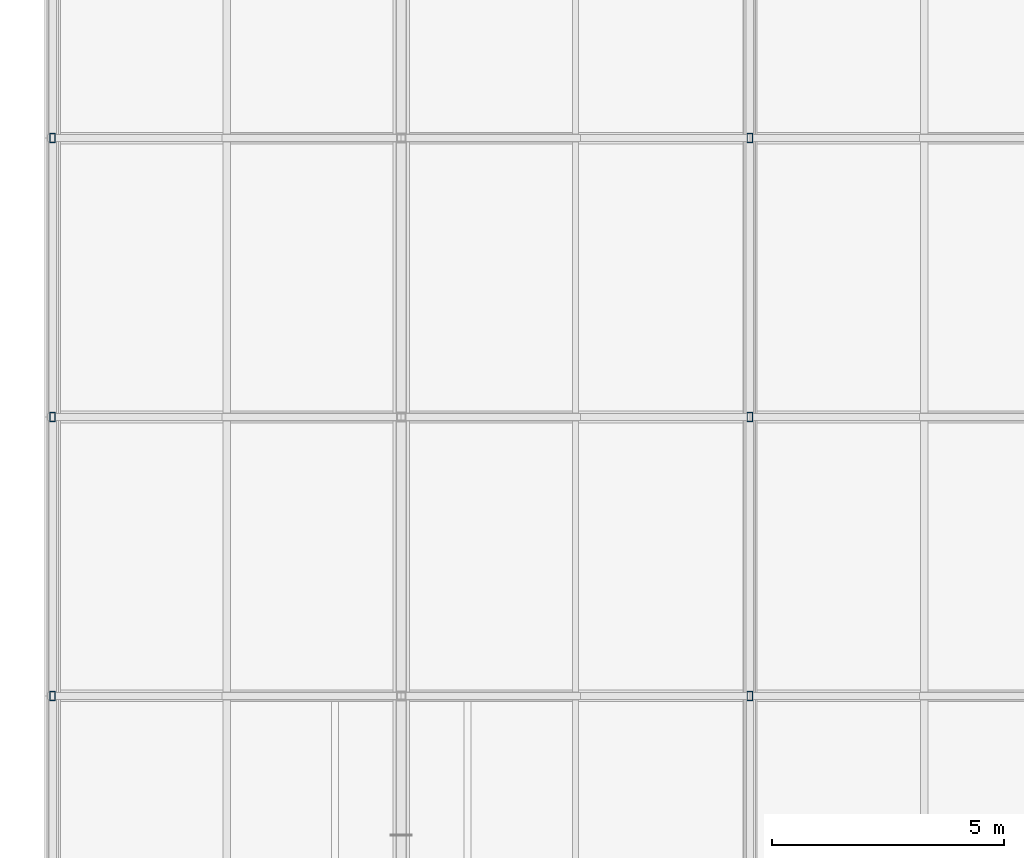
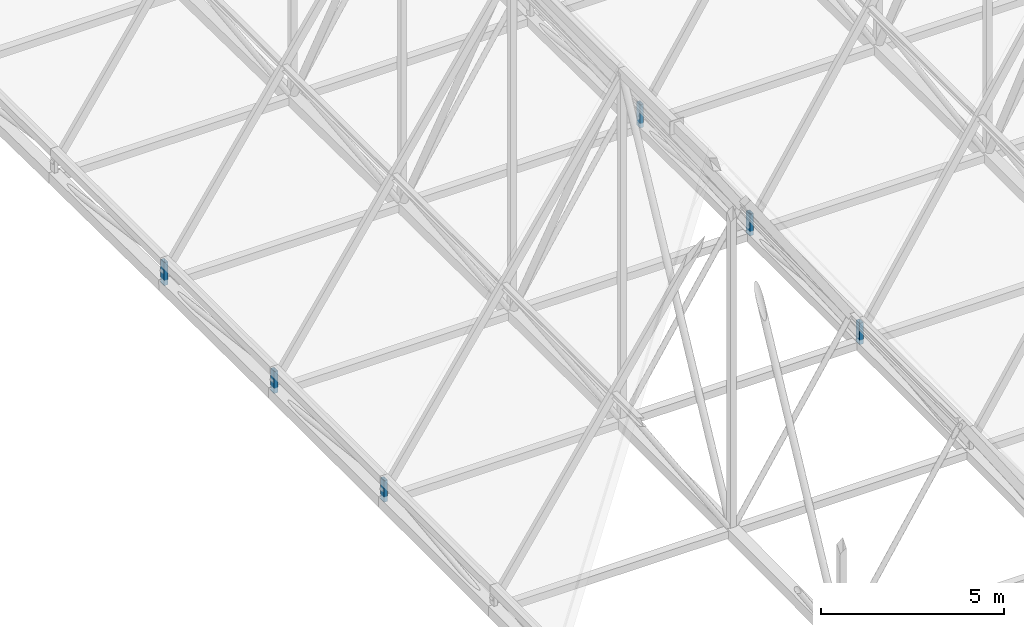
# One storey, part 250 of 324: 6 members.
"""IFC4 building model written with IfcOpenShell, lengths in metres."""

from ifc_helpers import new_model, si_unit, direction, frame, origin, origin_2d, place, context, subcontext, project, spatial, hollow_rectangle, extrude, material, material_profile, profile_set, type_object, element, save


model = new_model("IFC4")

# Units and contexts
model_context = context("Model", 3, precision=1e-05, world=origin(), true_north=direction((0.0, 1.0)))
body_context = subcontext(model_context, "Body", "Model", "MODEL_VIEW")
ifc_project = project(units=[si_unit("LENGTHUNIT", "METRE"), si_unit("AREAUNIT", "SQUARE_METRE"), si_unit("VOLUMEUNIT", "CUBIC_METRE"), si_unit("PLANEANGLEUNIT", "RADIAN"), si_unit("MASSUNIT", "GRAM", prefix="KILO")], contexts=[model_context])

# Site, building, storey
site_placement = place(None, origin())
site = spatial("IfcSite", under=ifc_project, at=site_placement, CompositionType="ELEMENT")
building_placement = place(site_placement, origin())
building = spatial("IfcBuilding", under=site, at=building_placement, Name="Solvenia Promenade Tram Depot", CompositionType="ELEMENT")
storey_placement = place(building_placement, frame((0.0, 0.0, 4.5)))
storey = spatial("IfcBuildingStorey", under=building, at=storey_placement, Name="L01", CompositionType="ELEMENT", Elevation=4.5)

# Members
ifc_material = material(Name="Structural steel ASTM A500 Gr. C", Category="steel")
ifc_material_profile = material_profile(ifc_material, hollow_rectangle(XDim=0.1201171875, YDim=0.199951171875, WallThickness=0.008056640625, at=origin_2d()), Name="HSS200x120x8", Category="steel")
ifc_profile_set = profile_set([ifc_material_profile], Name="Structural steel ASTM A500 Gr. C")
member_type = type_object("IfcMemberType", Name="Post-HSS200x120x8", PredefinedType="POST", material=ifc_profile_set)
member_1_placement = place(storey_placement, frame((0.0, 96.0, 2.669921875), z_axis=(0.0, 0.0, 1.0), x_axis=(1.0, 0.0, 0.0)))
element("IfcMember", 1, at=member_1_placement, inside=storey, type_object=member_type, Name="Arched Truss T01 Web Post S05", PredefinedType="POST", context=body_context, shape_type="SweptSolid", body=[
    extrude(hollow_rectangle(XDim=0.1201171875, YDim=0.199951171875, WallThickness=0.008056640625, at=origin_2d()), origin(), (0.0, 0.0, 1.0), 0.7099609375),
])
member_2_placement = place(storey_placement, frame((0.0, 102.0, 2.656005859375), z_axis=(0.0, 0.0, 1.0), x_axis=(1.0, 0.0, 0.0)))
element("IfcMember", 2, at=member_2_placement, inside=storey, type_object=member_type, Name="Arched Truss T01 Web Post S06", PredefinedType="POST", context=body_context, shape_type="SweptSolid", body=[
    extrude(hollow_rectangle(XDim=0.1201171875, YDim=0.199951171875, WallThickness=0.008056640625, at=origin_2d()), origin(), (0.0, 0.0, 1.0), 0.723876953125),
])
member_3_placement = place(storey_placement, frame((0.0, 108.0, 2.614013671875), z_axis=(0.0, 0.0, 1.0), x_axis=(1.0, 0.0, 0.0)))
element("IfcMember", 3, at=member_3_placement, inside=storey, type_object=member_type, Name="Arched Truss T01 Web Post S07", PredefinedType="POST", context=body_context, shape_type="SweptSolid", body=[
    extrude(hollow_rectangle(XDim=0.1201171875, YDim=0.199951171875, WallThickness=0.008056640625, at=origin_2d()), origin(), (0.0, 0.0, 1.0), 0.765869140625),
])
member_4_placement = place(storey_placement, frame((15.0, 96.0, 2.669921875), z_axis=(0.0, 0.0, 1.0), x_axis=(1.0, 0.0, 0.0)))
element("IfcMember", 4, at=member_4_placement, inside=storey, type_object=member_type, Name="Arched Truss T03 Web Post S05", PredefinedType="POST", context=body_context, shape_type="SweptSolid", body=[
    extrude(hollow_rectangle(XDim=0.1201171875, YDim=0.199951171875, WallThickness=0.008056640625, at=origin_2d()), origin(), (0.0, 0.0, 1.0), 0.7099609375),
])
member_5_placement = place(storey_placement, frame((15.0, 102.0, 2.656005859375), z_axis=(0.0, 0.0, 1.0), x_axis=(1.0, 0.0, 0.0)))
element("IfcMember", 5, at=member_5_placement, inside=storey, type_object=member_type, Name="Arched Truss T03 Web Post S06", PredefinedType="POST", context=body_context, shape_type="SweptSolid", body=[
    extrude(hollow_rectangle(XDim=0.1201171875, YDim=0.199951171875, WallThickness=0.008056640625, at=origin_2d()), origin(), (0.0, 0.0, 1.0), 0.723876953125),
])
member_6_placement = place(storey_placement, frame((15.0, 108.0, 2.614013671875), z_axis=(0.0, 0.0, 1.0), x_axis=(1.0, 0.0, 0.0)))
element("IfcMember", 6, at=member_6_placement, inside=storey, type_object=member_type, Name="Arched Truss T03 Web Post S07", PredefinedType="POST", context=body_context, shape_type="SweptSolid", body=[
    extrude(hollow_rectangle(XDim=0.1201171875, YDim=0.199951171875, WallThickness=0.008056640625, at=origin_2d()), origin(), (0.0, 0.0, 1.0), 0.765869140625),
])

save(model, "model.ifc")
